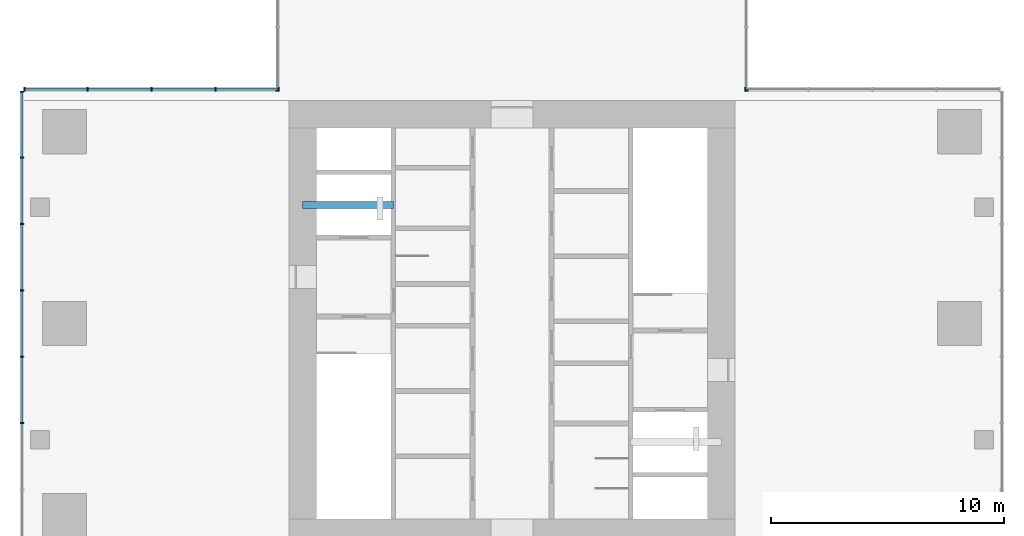
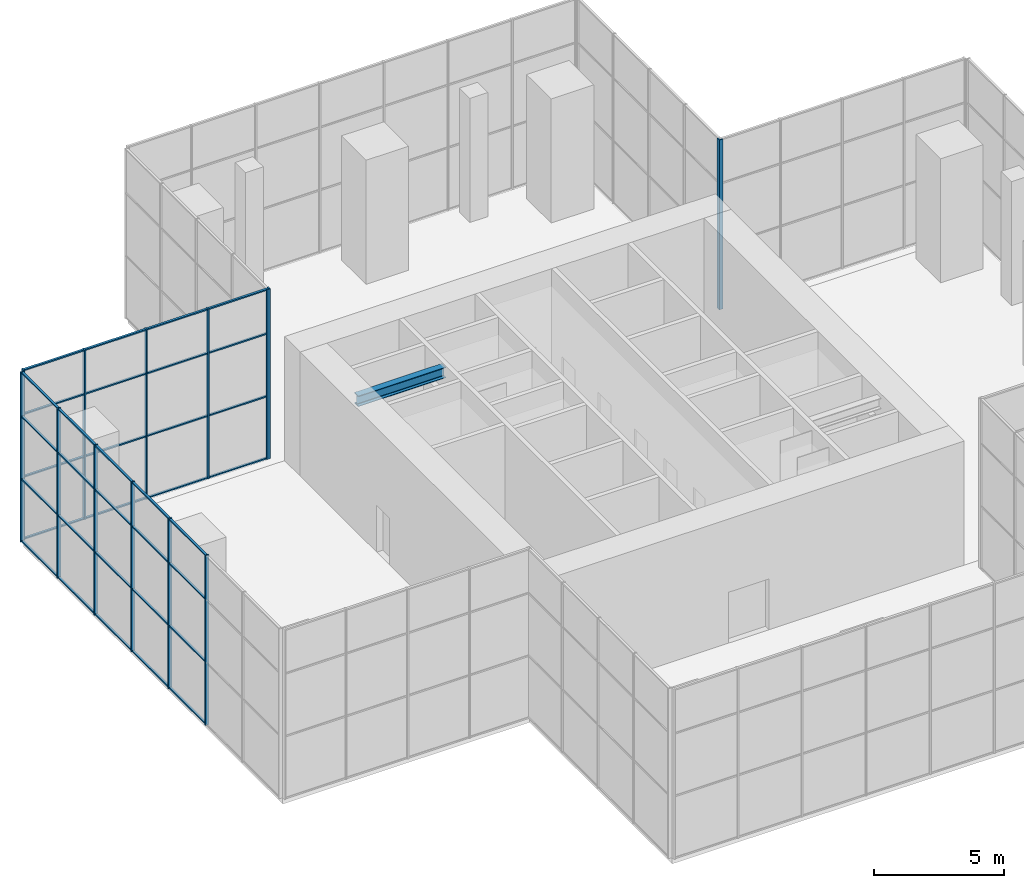
# One storey, part 4 of 12: 50 members, 1 beam, 5 elements without a shape of their own.
"""IFC4 building model written with IfcOpenShell, lengths in metres."""

import ifcopenshell
import ifcopenshell.guid

model = None  # the IFC model being written
_history = None  # IfcOwnerHistory: only IFC2X3 demands one
_inside = {}  # id of a spatial element -> (the spatial element, [elements in it])
_under = {}  # id of a project, library or spatial element -> (it, [spatial elements below it])
_declared = {}  # id of a project -> (the project, [libraries it declares])
_typed = {}  # id of a type object -> (the type object, [elements of that type])
_made_of = {}  # id of a material, layer set ... -> (it, [elements and type objects made of it])


def new_model(schema):
    """Start an empty IFC model of exactly this schema.

    Asked for "IFC4X3", IfcOpenShell would pick the latest addendum, in which some entities
    have other attributes; the version numbers below select the first issue.
    IFC2X3 requires an IfcOwnerHistory on every rooted entity: one is made here for all.
    """
    global model, _history
    if schema == "IFC4X3":
        model = ifcopenshell.file(schema_version=(4, 3, 0, 0))
    else:
        model = ifcopenshell.file(schema=schema)
    _inside.clear()
    _under.clear()
    _declared.clear()
    _typed.clear()
    _made_of.clear()
    _history = None
    if model.schema == "IFC2X3":
        org = make("IfcOrganization", Name="unknown")
        user = make(
            "IfcPersonAndOrganization",
            ThePerson=make("IfcPerson", FamilyName="unknown"),
            TheOrganization=org,
        )
        app = make(
            "IfcApplication",
            ApplicationDeveloper=org,
            Version="unknown",
            ApplicationFullName="unknown",
            ApplicationIdentifier="unknown",
        )
        _history = make(
            "IfcOwnerHistory",
            OwningUser=user,
            OwningApplication=app,
            ChangeAction="ADDED",
            CreationDate=0,
        )
    return model


def make(cls, **values):
    """One entity of the class cls with the attributes given. An attribute that is None is left unset."""
    return model.create_entity(
        cls, **{name: value for name, value in values.items() if value is not None}
    )


def rooted(cls, **values):
    """An entity with a GlobalId (a new one), such as an element, a storey or a relation."""
    return make(cls, GlobalId=ifcopenshell.guid.new(), OwnerHistory=_history, **values)


def si_unit(unit_type, name, prefix=None):
    """IfcSIUnit, for example si_unit("LENGTHUNIT", "METRE", prefix="MILLI")."""
    return make("IfcSIUnit", UnitType=unit_type, Prefix=prefix, Name=name)


def assignment(units):
    """IfcUnitAssignment: the units of a project."""
    return None if units is None else make("IfcUnitAssignment", Units=units)


def point(xyz):
    """IfcCartesianPoint."""
    return None if xyz is None else make("IfcCartesianPoint", Coordinates=xyz)


def direction(xyz):
    """IfcDirection."""
    return None if xyz is None else make("IfcDirection", DirectionRatios=xyz)


def frame(location, z_axis=None, x_axis=None):
    """IfcAxis2Placement3D, a coordinate frame: its origin and axes. An axis left out is left unset."""
    return make(
        "IfcAxis2Placement3D",
        Location=point(location),
        Axis=direction(z_axis),
        RefDirection=direction(x_axis),
    )


def frame_2d(location, x_axis=None):
    """IfcAxis2Placement2D, a coordinate frame in the plane: its origin and x axis."""
    return make(
        "IfcAxis2Placement2D", Location=point(location), RefDirection=direction(x_axis)
    )


def origin():
    """The frame at (0, 0, 0) with its axes left unset."""
    return frame((0.0, 0.0, 0.0))


def origin_2d():
    """The frame at (0, 0) in the plane with its x axis left unset."""
    return frame_2d((0.0, 0.0))


def place(relative_to, where):
    """IfcLocalPlacement: puts the frame where relative to a parent placement (None: the world)."""
    return make(
        "IfcLocalPlacement", PlacementRelTo=relative_to, RelativePlacement=where
    )


def context(
    kind, dimensions, precision=None, world=None, true_north=None, identifier=None
):
    """IfcGeometricRepresentationContext, for example the 3D "Model" context."""
    return make(
        "IfcGeometricRepresentationContext",
        ContextIdentifier=identifier,
        ContextType=kind,
        CoordinateSpaceDimension=dimensions,
        Precision=precision,
        WorldCoordinateSystem=world,
        TrueNorth=true_north,
    )


def subcontext(parent, identifier, kind, view, scale=None):
    """IfcGeometricRepresentationSubContext, for example "Body" below "Model"."""
    return make(
        "IfcGeometricRepresentationSubContext",
        ContextIdentifier=identifier,
        ContextType=kind,
        ParentContext=parent,
        TargetScale=scale,
        TargetView=view,
    )


def project(units=None, contexts=None):
    """IfcProject with its units and contexts."""
    return rooted(
        "IfcProject",
        Name="project",
        RepresentationContexts=contexts,
        UnitsInContext=assignment(units),
    )


def spatial(cls, under=None, at=None, **own):
    """A site, building, storey or space (cls), placed at a placement, below another one or the project."""
    s = rooted(cls, ObjectPlacement=at, **own)
    if under is not None:
        _under.setdefault(under.id(), (under, []))[1].append(s)
    return s


def profile(cls, at=None, kind="AREA", **sizes):
    """A parametric profile (cls). Its sizes go by their IFC names, for example OverallWidth=200.0."""
    return make(cls, ProfileType=kind, Position=at, **sizes)


def rectangle(**sizes):
    """IfcRectangleProfileDef."""
    return profile("IfcRectangleProfileDef", **sizes)


def i_section(**sizes):
    """IfcIShapeProfileDef."""
    return profile("IfcIShapeProfileDef", **sizes)


def extrude(swept, where, along, depth):
    """IfcExtrudedAreaSolid: the profile swept, set in the frame where, extruded along a direction by depth."""
    return make(
        "IfcExtrudedAreaSolid",
        SweptArea=swept,
        Position=where,
        ExtrudedDirection=direction(along),
        Depth=depth,
    )


def shape(context_of_items, identifier, shape_type, items):
    """IfcShapeRepresentation: the items that make up one representation, for example the "Body"."""
    return make(
        "IfcShapeRepresentation",
        ContextOfItems=context_of_items,
        RepresentationIdentifier=identifier,
        RepresentationType=shape_type,
        Items=items,
    )


def material(Name=None, Category=None):
    """IfcMaterial."""
    return make("IfcMaterial", Name=Name, Category=Category)


def material_profile(
    of_material, cross_section, Name=None, Category=None, Priority=None
):
    """IfcMaterialProfile: a cross section and its material."""
    return make(
        "IfcMaterialProfile",
        Name=Name,
        Material=of_material,
        Profile=cross_section,
        Priority=Priority,
        Category=Category,
    )


def profile_set(profiles, Name=None, composite=None):
    """IfcMaterialProfileSet."""
    return make(
        "IfcMaterialProfileSet",
        Name=Name,
        MaterialProfiles=profiles,
        CompositeProfile=composite,
    )


def made_of(thing, what):
    """Note that an element or type object is made of a material, layer set ...; save() writes the relation."""
    if what is not None:
        _made_of.setdefault(what.id(), (what, []))[1].append(thing)
    return thing


def type_object(cls, material=None, **own):
    """A type object (cls), such as IfcWallType, which elements share."""
    return made_of(rooted(cls, **own), material)


def element(
    cls,
    number,
    at=None,
    inside=None,
    cuts=None,
    type_object=None,
    material=None,
    context=None,
    identifier="Body",
    shape_type=None,
    held_by="IfcProductDefinitionShape",
    body=None,
    shapes=None,
    **own,
):
    """One element of the class cls, such as IfcWall. Its Tag is "e" and its number.

    at: its placement. inside: the storey or other place that contains it. cuts: it is an
    opening in that element (IfcRelVoidsElement). A single representation is given by context,
    identifier, shape_type and body (its items); several are given by shapes. held_by: the class
    of the entity that holds the representations. save() writes the other relations.
    """
    e = rooted(cls, Tag="e%d" % number, ObjectPlacement=at, **own)
    if body is not None:
        shapes = [shape(context, identifier, shape_type, body)]
    if shapes is not None:
        e.Representation = make(held_by, Representations=shapes)
    if inside is not None:
        _inside.setdefault(inside.id(), (inside, []))[1].append(e)
    if cuts is not None:
        rooted(
            "IfcRelVoidsElement", RelatingBuildingElement=cuts, RelatedOpeningElement=e
        )
    if type_object is not None:
        _typed.setdefault(type_object.id(), (type_object, []))[1].append(e)
    return made_of(e, material)


def aggregate(whole, parts):
    """IfcRelAggregates: a whole, such as a stair, and the parts it consists of."""
    return rooted("IfcRelAggregates", RelatingObject=whole, RelatedObjects=parts)


def save(model, path):
    """Write the relations noted so far, then the file.

    IfcRelAggregates (storeys below a building ...), IfcRelContainedInSpatialStructure (elements
    in a storey), IfcRelDefinesByType, IfcRelAssociatesMaterial and IfcRelDeclares: one each for
    every whole, place, type object, material and project.
    """
    for whole, parts in _under.values():
        aggregate(whole, parts)
    for where, things in _inside.values():
        rooted(
            "IfcRelContainedInSpatialStructure",
            RelatedElements=things,
            RelatingStructure=where,
        )
    for kind, things in _typed.values():
        rooted("IfcRelDefinesByType", RelatedObjects=things, RelatingType=kind)
    for what, things in _made_of.values():
        rooted("IfcRelAssociatesMaterial", RelatedObjects=things, RelatingMaterial=what)
    for by, libraries in _declared.values():
        rooted("IfcRelDeclares", RelatingContext=by, RelatedDefinitions=libraries)
    model.write(path)


model = new_model("IFC4")

# Units and contexts
model_context = context("Model", 3, precision=1e-05, world=origin(), true_north=direction((0.0, 1.0)))
body_context = subcontext(model_context, "Body", "Model", "MODEL_VIEW")
ifc_project = project(units=[si_unit("LENGTHUNIT", "METRE"), si_unit("AREAUNIT", "SQUARE_METRE"), si_unit("VOLUMEUNIT", "CUBIC_METRE"), si_unit("PLANEANGLEUNIT", "RADIAN"), si_unit("MASSUNIT", "GRAM", prefix="KILO")], contexts=[model_context])

# Site, building, storey
site_placement = place(None, origin())
site = spatial("IfcSite", under=ifc_project, at=site_placement, CompositionType="ELEMENT")
building_placement = place(site_placement, origin())
building = spatial("IfcBuilding", under=site, at=building_placement, Name="Svetlomir Tower", CompositionType="ELEMENT")
storey_placement = place(building_placement, frame((0.0, 0.0, 283.89990234375)))
storey = spatial("IfcBuildingStorey", under=building, at=storey_placement, Name="L67", CompositionType="ELEMENT", Elevation=283.89990234375)

# Curtain wall, member
ifc_material_1 = material(Name="Bronze anodised aluminium curtain wall", Category="aluminium")
curtain_wall_type = type_object("IfcCurtainWallType", Name="CURTAIN WALL CW6 LANTERN", PredefinedType="NOTDEFINED", material=ifc_material_1)
curtain_wall_1_placement = place(storey_placement, origin())
curtain_wall_1 = element("IfcCurtainWall", 1, at=curtain_wall_1_placement, inside=storey, type_object=curtain_wall_type, Name="Curtain wall CW6 L67", PredefinedType="NOTDEFINED")
ifc_material_2 = material(Name="Bronze anodised aluminium", Category="aluminium")
ifc_material_profile_1 = material_profile(ifc_material_2, rectangle(XDim=0.06005859375, YDim=0.159912109375, at=origin_2d()), Name="AL 60x160")
ifc_profile_set_1 = profile_set([ifc_material_profile_1], Name="Bronze anodised aluminium 6063-T6")
member_type_1 = type_object("IfcMemberType", Name="CW6 MULLION 60x160", PredefinedType="MULLION", material=ifc_profile_set_1)
member_1_placement = place(storey_placement, frame((31.030029296875, 31.080078125, 0.0), z_axis=(0.0, 0.0, 1.0), x_axis=(-1.0, 0.0, 0.0)))
member_1 = element("IfcMember", 2, at=member_1_placement, type_object=member_type_1, Name="CW6 mullion 5", PredefinedType="MULLION", context=body_context, shape_type="SweptSolid", body=[
    extrude(rectangle(XDim=0.06005859375, YDim=0.159912109375, at=origin_2d()), origin(), (0.0, 0.0, 1.0), 8.0),
])
aggregate(curtain_wall_1, [member_1])

curtain_wall_2_placement = place(storey_placement, origin())
curtain_wall_2 = element("IfcCurtainWall", 3, at=curtain_wall_2_placement, inside=storey, type_object=curtain_wall_type, Name="Curtain wall CW6 L67", PredefinedType="NOTDEFINED")
member_2_placement = place(storey_placement, frame((31.080078125, 31.030029296875, 0.0), z_axis=(0.0, 0.0, 1.0), x_axis=(0.0, 1.0, 0.0)))
member_2 = element("IfcMember", 4, at=member_2_placement, type_object=member_type_1, Name="CW6 mullion 1", PredefinedType="MULLION", context=body_context, shape_type="SweptSolid", body=[
    extrude(rectangle(XDim=0.06005859375, YDim=0.159912109375, at=origin_2d()), origin(), (0.0, 0.0, 1.0), 8.0),
])
aggregate(curtain_wall_2, [member_2])

curtain_wall_3_placement = place(storey_placement, origin())
curtain_wall_3 = element("IfcCurtainWall", 5, at=curtain_wall_3_placement, inside=storey, type_object=curtain_wall_type, Name="Curtain wall CW6 L67", PredefinedType="NOTDEFINED")
member_3_placement = place(storey_placement, frame((10.919921875, 31.030029296875, 0.0), z_axis=(0.0, 0.0, 1.0), x_axis=(0.0, -1.0, 0.0)))
member_3 = element("IfcMember", 6, at=member_3_placement, type_object=member_type_1, Name="CW6 mullion 5", PredefinedType="MULLION", context=body_context, shape_type="SweptSolid", body=[
    extrude(rectangle(XDim=0.06005859375, YDim=0.159912109375, at=origin_2d()), origin(), (0.0, 0.0, 1.0), 8.0),
])
aggregate(curtain_wall_3, [member_3])

# Curtain wall, members
curtain_wall_4_placement = place(storey_placement, origin())
curtain_wall_4 = element("IfcCurtainWall", 7, at=curtain_wall_4_placement, inside=storey, type_object=curtain_wall_type, Name="Curtain wall CW6 L67", PredefinedType="NOTDEFINED")
member_4_placement = place(storey_placement, frame((10.969970703125, 31.080078125, 0.0), z_axis=(0.0, 0.0, 1.0), x_axis=(-1.0, 0.0, 0.0)))
member_4 = element("IfcMember", 8, at=member_4_placement, type_object=member_type_1, Name="CW6 mullion 1", PredefinedType="MULLION", context=body_context, shape_type="SweptSolid", body=[
    extrude(rectangle(XDim=0.06005859375, YDim=0.159912109375, at=origin_2d()), origin(), (0.0, 0.0, 1.0), 8.0),
])
member_5_placement = place(storey_placement, frame((8.25, 31.080078125, 0.0), z_axis=(0.0, 0.0, 1.0), x_axis=(-1.0, 0.0, 0.0)))
member_5 = element("IfcMember", 9, at=member_5_placement, type_object=member_type_1, Name="CW6 mullion 2", PredefinedType="MULLION", context=body_context, shape_type="SweptSolid", body=[
    extrude(rectangle(XDim=0.06005859375, YDim=0.159912109375, at=origin_2d()), origin(), (0.0, 0.0, 1.0), 8.0),
])
member_6_placement = place(storey_placement, frame((5.5, 31.080078125, 0.0), z_axis=(0.0, 0.0, 1.0), x_axis=(-1.0, 0.0, 0.0)))
member_6 = element("IfcMember", 10, at=member_6_placement, type_object=member_type_1, Name="CW6 mullion 3", PredefinedType="MULLION", context=body_context, shape_type="SweptSolid", body=[
    extrude(rectangle(XDim=0.06005859375, YDim=0.159912109375, at=origin_2d()), origin(), (0.0, 0.0, 1.0), 8.0),
])
member_7_placement = place(storey_placement, frame((2.75, 31.080078125, 0.0), z_axis=(0.0, 0.0, 1.0), x_axis=(-1.0, 0.0, 0.0)))
member_7 = element("IfcMember", 11, at=member_7_placement, type_object=member_type_1, Name="CW6 mullion 4", PredefinedType="MULLION", context=body_context, shape_type="SweptSolid", body=[
    extrude(rectangle(XDim=0.06005859375, YDim=0.159912109375, at=origin_2d()), origin(), (0.0, 0.0, 1.0), 8.0),
])
member_8_placement = place(storey_placement, frame((0.030029296875, 31.080078125, 0.0), z_axis=(0.0, 0.0, 1.0), x_axis=(-1.0, 0.0, 0.0)))
member_8 = element("IfcMember", 12, at=member_8_placement, type_object=member_type_1, Name="CW6 mullion 5", PredefinedType="MULLION", context=body_context, shape_type="SweptSolid", body=[
    extrude(rectangle(XDim=0.06005859375, YDim=0.159912109375, at=origin_2d()), origin(), (0.0, 0.0, 1.0), 8.0),
])

curtain_wall_5_placement = place(storey_placement, origin())
curtain_wall_5 = element("IfcCurtainWall", 13, at=curtain_wall_5_placement, inside=storey, type_object=curtain_wall_type, Name="Curtain wall CW6 L67", PredefinedType="NOTDEFINED")
member_9_placement = place(storey_placement, frame((-0.080078125, 30.969970703125, 0.0), z_axis=(0.0, 0.0, 1.0), x_axis=(0.0, -1.0, 0.0)))
member_9 = element("IfcMember", 14, at=member_9_placement, type_object=member_type_1, Name="CW6 mullion 1", PredefinedType="MULLION", context=body_context, shape_type="SweptSolid", body=[
    extrude(rectangle(XDim=0.06005859375, YDim=0.159912109375, at=origin_2d()), origin(), (0.0, 0.0, 1.0), 8.0),
])
member_10_placement = place(storey_placement, frame((-0.080078125, 28.142822265625, 0.0), z_axis=(0.0, 0.0, 1.0), x_axis=(0.0, -1.0, 0.0)))
member_10 = element("IfcMember", 15, at=member_10_placement, type_object=member_type_1, Name="CW6 mullion 2", PredefinedType="MULLION", context=body_context, shape_type="SweptSolid", body=[
    extrude(rectangle(XDim=0.06005859375, YDim=0.159912109375, at=origin_2d()), origin(), (0.0, 0.0, 1.0), 8.0),
])
member_11_placement = place(storey_placement, frame((-0.080078125, 25.28564453125, 0.0), z_axis=(0.0, 0.0, 1.0), x_axis=(0.0, -1.0, 0.0)))
member_11 = element("IfcMember", 16, at=member_11_placement, type_object=member_type_1, Name="CW6 mullion 3", PredefinedType="MULLION", context=body_context, shape_type="SweptSolid", body=[
    extrude(rectangle(XDim=0.06005859375, YDim=0.159912109375, at=origin_2d()), origin(), (0.0, 0.0, 1.0), 8.0),
])
member_12_placement = place(storey_placement, frame((-0.080078125, 22.428466796875, 0.0), z_axis=(0.0, 0.0, 1.0), x_axis=(0.0, -1.0, 0.0)))
member_12 = element("IfcMember", 17, at=member_12_placement, type_object=member_type_1, Name="CW6 mullion 4", PredefinedType="MULLION", context=body_context, shape_type="SweptSolid", body=[
    extrude(rectangle(XDim=0.06005859375, YDim=0.159912109375, at=origin_2d()), origin(), (0.0, 0.0, 1.0), 8.0),
])
member_13_placement = place(storey_placement, frame((-0.080078125, 19.571533203125, 0.0), z_axis=(0.0, 0.0, 1.0), x_axis=(0.0, -1.0, 0.0)))
member_13 = element("IfcMember", 18, at=member_13_placement, type_object=member_type_1, Name="CW6 mullion 5", PredefinedType="MULLION", context=body_context, shape_type="SweptSolid", body=[
    extrude(rectangle(XDim=0.06005859375, YDim=0.159912109375, at=origin_2d()), origin(), (0.0, 0.0, 1.0), 8.0),
])
member_14_placement = place(storey_placement, frame((-0.080078125, 16.71435546875, 0.0), z_axis=(0.0, 0.0, 1.0), x_axis=(0.0, -1.0, 0.0)))
member_14 = element("IfcMember", 19, at=member_14_placement, type_object=member_type_1, Name="CW6 mullion 6", PredefinedType="MULLION", context=body_context, shape_type="SweptSolid", body=[
    extrude(rectangle(XDim=0.06005859375, YDim=0.159912109375, at=origin_2d()), origin(), (0.0, 0.0, 1.0), 8.0),
])

# Member
ifc_material_3 = material(Name="Bronze anodised aluminium", Category="aluminium")
ifc_material_profile_2 = material_profile(ifc_material_3, rectangle(XDim=0.10009765625, YDim=0.06005859375, at=origin_2d()), Name="AL 100x60")
ifc_profile_set_2 = profile_set([ifc_material_profile_2], Name="Bronze anodised aluminium 6063-T6")
member_type_2 = type_object("IfcMemberType", Name="CW6 TRANSOM 60x100", PredefinedType="USERDEFINED", material=ifc_profile_set_2)
member_15_placement = place(storey_placement, frame((10.93994140625, 31.080078125, 0.030029296875), z_axis=(-1.0, 0.0, 0.0), x_axis=(0.0, -1.0, 0.0)))
member_15 = element("IfcMember", 20, at=member_15_placement, type_object=member_type_2, Name="CW6 transom 1.1", ObjectType="TRANSOM", PredefinedType="USERDEFINED", context=body_context, shape_type="SweptSolid", body=[
    extrude(rectangle(XDim=0.10009765625, YDim=0.06005859375, at=origin_2d()), origin(), (0.0, 0.0, 1.0), 2.659912109375),
])

member_16_placement = place(storey_placement, frame((10.93994140625, 31.080078125, 2.9501953125), z_axis=(-1.0, 0.0, 0.0), x_axis=(0.0, -1.0, 0.0)))
member_16 = element("IfcMember", 21, at=member_16_placement, type_object=member_type_2, Name="CW6 transom 1.2", ObjectType="TRANSOM", PredefinedType="USERDEFINED", context=body_context, shape_type="SweptSolid", body=[
    extrude(rectangle(XDim=0.10009765625, YDim=0.06005859375, at=origin_2d()), origin(), (0.0, 0.0, 1.0), 2.659912109375),
])

member_17_placement = place(storey_placement, frame((10.93994140625, 31.080078125, 5.900146484375), z_axis=(-1.0, 0.0, 0.0), x_axis=(0.0, -1.0, 0.0)))
member_17 = element("IfcMember", 22, at=member_17_placement, type_object=member_type_2, Name="CW6 transom 1.3", ObjectType="TRANSOM", PredefinedType="USERDEFINED", context=body_context, shape_type="SweptSolid", body=[
    extrude(rectangle(XDim=0.10009765625, YDim=0.06005859375, at=origin_2d()), origin(), (0.0, 0.0, 1.0), 2.659912109375),
])

member_18_placement = place(storey_placement, frame((10.93994140625, 31.080078125, 7.97021484375), z_axis=(-1.0, 0.0, 0.0), x_axis=(0.0, -1.0, 0.0)))
member_18 = element("IfcMember", 23, at=member_18_placement, type_object=member_type_2, Name="CW6 transom 1.4", ObjectType="TRANSOM", PredefinedType="USERDEFINED", context=body_context, shape_type="SweptSolid", body=[
    extrude(rectangle(XDim=0.10009765625, YDim=0.06005859375, at=origin_2d()), origin(), (0.0, 0.0, 1.0), 2.659912109375),
])

member_19_placement = place(storey_placement, frame((8.219970703125, 31.080078125, 0.030029296875), z_axis=(-1.0, 0.0, 0.0), x_axis=(0.0, -1.0, 0.0)))
member_19 = element("IfcMember", 24, at=member_19_placement, type_object=member_type_2, Name="CW6 transom 2.1", ObjectType="TRANSOM", PredefinedType="USERDEFINED", context=body_context, shape_type="SweptSolid", body=[
    extrude(rectangle(XDim=0.10009765625, YDim=0.06005859375, at=origin_2d()), origin(), (0.0, 0.0, 1.0), 2.68994140625),
])

member_20_placement = place(storey_placement, frame((8.219970703125, 31.080078125, 2.9501953125), z_axis=(-1.0, 0.0, 0.0), x_axis=(0.0, -1.0, 0.0)))
member_20 = element("IfcMember", 25, at=member_20_placement, type_object=member_type_2, Name="CW6 transom 2.2", ObjectType="TRANSOM", PredefinedType="USERDEFINED", context=body_context, shape_type="SweptSolid", body=[
    extrude(rectangle(XDim=0.10009765625, YDim=0.06005859375, at=origin_2d()), origin(), (0.0, 0.0, 1.0), 2.68994140625),
])

member_21_placement = place(storey_placement, frame((8.219970703125, 31.080078125, 5.900146484375), z_axis=(-1.0, 0.0, 0.0), x_axis=(0.0, -1.0, 0.0)))
member_21 = element("IfcMember", 26, at=member_21_placement, type_object=member_type_2, Name="CW6 transom 2.3", ObjectType="TRANSOM", PredefinedType="USERDEFINED", context=body_context, shape_type="SweptSolid", body=[
    extrude(rectangle(XDim=0.10009765625, YDim=0.06005859375, at=origin_2d()), origin(), (0.0, 0.0, 1.0), 2.68994140625),
])

member_22_placement = place(storey_placement, frame((8.219970703125, 31.080078125, 7.97021484375), z_axis=(-1.0, 0.0, 0.0), x_axis=(0.0, -1.0, 0.0)))
member_22 = element("IfcMember", 27, at=member_22_placement, type_object=member_type_2, Name="CW6 transom 2.4", ObjectType="TRANSOM", PredefinedType="USERDEFINED", context=body_context, shape_type="SweptSolid", body=[
    extrude(rectangle(XDim=0.10009765625, YDim=0.06005859375, at=origin_2d()), origin(), (0.0, 0.0, 1.0), 2.68994140625),
])

member_23_placement = place(storey_placement, frame((5.469970703125, 31.080078125, 0.030029296875), z_axis=(-1.0, 0.0, 0.0), x_axis=(0.0, -1.0, 0.0)))
member_23 = element("IfcMember", 28, at=member_23_placement, type_object=member_type_2, Name="CW6 transom 3.1", ObjectType="TRANSOM", PredefinedType="USERDEFINED", context=body_context, shape_type="SweptSolid", body=[
    extrude(rectangle(XDim=0.10009765625, YDim=0.06005859375, at=origin_2d()), origin(), (0.0, 0.0, 1.0), 2.68994140625),
])

member_24_placement = place(storey_placement, frame((5.469970703125, 31.080078125, 2.9501953125), z_axis=(-1.0, 0.0, 0.0), x_axis=(0.0, -1.0, 0.0)))
member_24 = element("IfcMember", 29, at=member_24_placement, type_object=member_type_2, Name="CW6 transom 3.2", ObjectType="TRANSOM", PredefinedType="USERDEFINED", context=body_context, shape_type="SweptSolid", body=[
    extrude(rectangle(XDim=0.10009765625, YDim=0.06005859375, at=origin_2d()), origin(), (0.0, 0.0, 1.0), 2.68994140625),
])

member_25_placement = place(storey_placement, frame((5.469970703125, 31.080078125, 5.900146484375), z_axis=(-1.0, 0.0, 0.0), x_axis=(0.0, -1.0, 0.0)))
member_25 = element("IfcMember", 30, at=member_25_placement, type_object=member_type_2, Name="CW6 transom 3.3", ObjectType="TRANSOM", PredefinedType="USERDEFINED", context=body_context, shape_type="SweptSolid", body=[
    extrude(rectangle(XDim=0.10009765625, YDim=0.06005859375, at=origin_2d()), origin(), (0.0, 0.0, 1.0), 2.68994140625),
])

member_26_placement = place(storey_placement, frame((5.469970703125, 31.080078125, 7.97021484375), z_axis=(-1.0, 0.0, 0.0), x_axis=(0.0, -1.0, 0.0)))
member_26 = element("IfcMember", 31, at=member_26_placement, type_object=member_type_2, Name="CW6 transom 3.4", ObjectType="TRANSOM", PredefinedType="USERDEFINED", context=body_context, shape_type="SweptSolid", body=[
    extrude(rectangle(XDim=0.10009765625, YDim=0.06005859375, at=origin_2d()), origin(), (0.0, 0.0, 1.0), 2.68994140625),
])

member_27_placement = place(storey_placement, frame((2.719970703125, 31.080078125, 0.030029296875), z_axis=(-1.0, 0.0, 0.0), x_axis=(0.0, -1.0, 0.0)))
member_27 = element("IfcMember", 32, at=member_27_placement, type_object=member_type_2, Name="CW6 transom 4.1", ObjectType="TRANSOM", PredefinedType="USERDEFINED", context=body_context, shape_type="SweptSolid", body=[
    extrude(rectangle(XDim=0.10009765625, YDim=0.06005859375, at=origin_2d()), origin(), (0.0, 0.0, 1.0), 2.659912109375),
])

member_28_placement = place(storey_placement, frame((2.719970703125, 31.080078125, 2.9501953125), z_axis=(-1.0, 0.0, 0.0), x_axis=(0.0, -1.0, 0.0)))
member_28 = element("IfcMember", 33, at=member_28_placement, type_object=member_type_2, Name="CW6 transom 4.2", ObjectType="TRANSOM", PredefinedType="USERDEFINED", context=body_context, shape_type="SweptSolid", body=[
    extrude(rectangle(XDim=0.10009765625, YDim=0.06005859375, at=origin_2d()), origin(), (0.0, 0.0, 1.0), 2.659912109375),
])

member_29_placement = place(storey_placement, frame((2.719970703125, 31.080078125, 5.900146484375), z_axis=(-1.0, 0.0, 0.0), x_axis=(0.0, -1.0, 0.0)))
member_29 = element("IfcMember", 34, at=member_29_placement, type_object=member_type_2, Name="CW6 transom 4.3", ObjectType="TRANSOM", PredefinedType="USERDEFINED", context=body_context, shape_type="SweptSolid", body=[
    extrude(rectangle(XDim=0.10009765625, YDim=0.06005859375, at=origin_2d()), origin(), (0.0, 0.0, 1.0), 2.659912109375),
])

member_30_placement = place(storey_placement, frame((2.719970703125, 31.080078125, 7.97021484375), z_axis=(-1.0, 0.0, 0.0), x_axis=(0.0, -1.0, 0.0)))
member_30 = element("IfcMember", 35, at=member_30_placement, type_object=member_type_2, Name="CW6 transom 4.4", ObjectType="TRANSOM", PredefinedType="USERDEFINED", context=body_context, shape_type="SweptSolid", body=[
    extrude(rectangle(XDim=0.10009765625, YDim=0.06005859375, at=origin_2d()), origin(), (0.0, 0.0, 1.0), 2.659912109375),
])

aggregate(curtain_wall_4, [member_4, member_5, member_6, member_7, member_8, member_15, member_16, member_17, member_18, member_19, member_20, member_21, member_22, member_23, member_24, member_25, member_26, member_27, member_28, member_29, member_30])

member_31_placement = place(storey_placement, frame((-0.080078125, 30.93994140625, 0.030029296875), z_axis=(0.0, -1.0, 0.0), x_axis=(1.0, 0.0, 0.0)))
member_31 = element("IfcMember", 36, at=member_31_placement, type_object=member_type_2, Name="CW6 transom 1.1", ObjectType="TRANSOM", PredefinedType="USERDEFINED", context=body_context, shape_type="SweptSolid", body=[
    extrude(rectangle(XDim=0.10009765625, YDim=0.06005859375, at=origin_2d()), origin(), (0.0, 0.0, 1.0), 2.76708984375),
])

member_32_placement = place(storey_placement, frame((-0.080078125, 30.93994140625, 2.9501953125), z_axis=(0.0, -1.0, 0.0), x_axis=(1.0, 0.0, 0.0)))
member_32 = element("IfcMember", 37, at=member_32_placement, type_object=member_type_2, Name="CW6 transom 1.2", ObjectType="TRANSOM", PredefinedType="USERDEFINED", context=body_context, shape_type="SweptSolid", body=[
    extrude(rectangle(XDim=0.10009765625, YDim=0.06005859375, at=origin_2d()), origin(), (0.0, 0.0, 1.0), 2.76708984375),
])

member_33_placement = place(storey_placement, frame((-0.080078125, 30.93994140625, 5.900146484375), z_axis=(0.0, -1.0, 0.0), x_axis=(1.0, 0.0, 0.0)))
member_33 = element("IfcMember", 38, at=member_33_placement, type_object=member_type_2, Name="CW6 transom 1.3", ObjectType="TRANSOM", PredefinedType="USERDEFINED", context=body_context, shape_type="SweptSolid", body=[
    extrude(rectangle(XDim=0.10009765625, YDim=0.06005859375, at=origin_2d()), origin(), (0.0, 0.0, 1.0), 2.76708984375),
])

member_34_placement = place(storey_placement, frame((-0.080078125, 30.93994140625, 7.97021484375), z_axis=(0.0, -1.0, 0.0), x_axis=(1.0, 0.0, 0.0)))
member_34 = element("IfcMember", 39, at=member_34_placement, type_object=member_type_2, Name="CW6 transom 1.4", ObjectType="TRANSOM", PredefinedType="USERDEFINED", context=body_context, shape_type="SweptSolid", body=[
    extrude(rectangle(XDim=0.10009765625, YDim=0.06005859375, at=origin_2d()), origin(), (0.0, 0.0, 1.0), 2.76708984375),
])

member_35_placement = place(storey_placement, frame((-0.080078125, 28.11279296875, 0.030029296875), z_axis=(0.0, -1.0, 0.0), x_axis=(1.0, 0.0, 0.0)))
member_35 = element("IfcMember", 40, at=member_35_placement, type_object=member_type_2, Name="CW6 transom 2.1", ObjectType="TRANSOM", PredefinedType="USERDEFINED", context=body_context, shape_type="SweptSolid", body=[
    extrude(rectangle(XDim=0.10009765625, YDim=0.06005859375, at=origin_2d()), origin(), (0.0, 0.0, 1.0), 2.797119140625),
])

member_36_placement = place(storey_placement, frame((-0.080078125, 28.11279296875, 2.9501953125), z_axis=(0.0, -1.0, 0.0), x_axis=(1.0, 0.0, 0.0)))
member_36 = element("IfcMember", 41, at=member_36_placement, type_object=member_type_2, Name="CW6 transom 2.2", ObjectType="TRANSOM", PredefinedType="USERDEFINED", context=body_context, shape_type="SweptSolid", body=[
    extrude(rectangle(XDim=0.10009765625, YDim=0.06005859375, at=origin_2d()), origin(), (0.0, 0.0, 1.0), 2.797119140625),
])

member_37_placement = place(storey_placement, frame((-0.080078125, 28.11279296875, 5.900146484375), z_axis=(0.0, -1.0, 0.0), x_axis=(1.0, 0.0, 0.0)))
member_37 = element("IfcMember", 42, at=member_37_placement, type_object=member_type_2, Name="CW6 transom 2.3", ObjectType="TRANSOM", PredefinedType="USERDEFINED", context=body_context, shape_type="SweptSolid", body=[
    extrude(rectangle(XDim=0.10009765625, YDim=0.06005859375, at=origin_2d()), origin(), (0.0, 0.0, 1.0), 2.797119140625),
])

member_38_placement = place(storey_placement, frame((-0.080078125, 28.11279296875, 7.97021484375), z_axis=(0.0, -1.0, 0.0), x_axis=(1.0, 0.0, 0.0)))
member_38 = element("IfcMember", 43, at=member_38_placement, type_object=member_type_2, Name="CW6 transom 2.4", ObjectType="TRANSOM", PredefinedType="USERDEFINED", context=body_context, shape_type="SweptSolid", body=[
    extrude(rectangle(XDim=0.10009765625, YDim=0.06005859375, at=origin_2d()), origin(), (0.0, 0.0, 1.0), 2.797119140625),
])

member_39_placement = place(storey_placement, frame((-0.080078125, 25.255615234375, 0.030029296875), z_axis=(0.0, -1.0, 0.0), x_axis=(1.0, 0.0, 0.0)))
member_39 = element("IfcMember", 44, at=member_39_placement, type_object=member_type_2, Name="CW6 transom 3.1", ObjectType="TRANSOM", PredefinedType="USERDEFINED", context=body_context, shape_type="SweptSolid", body=[
    extrude(rectangle(XDim=0.10009765625, YDim=0.06005859375, at=origin_2d()), origin(), (0.0, 0.0, 1.0), 2.797119140625),
])

member_40_placement = place(storey_placement, frame((-0.080078125, 25.255615234375, 2.9501953125), z_axis=(0.0, -1.0, 0.0), x_axis=(1.0, 0.0, 0.0)))
member_40 = element("IfcMember", 45, at=member_40_placement, type_object=member_type_2, Name="CW6 transom 3.2", ObjectType="TRANSOM", PredefinedType="USERDEFINED", context=body_context, shape_type="SweptSolid", body=[
    extrude(rectangle(XDim=0.10009765625, YDim=0.06005859375, at=origin_2d()), origin(), (0.0, 0.0, 1.0), 2.797119140625),
])

member_41_placement = place(storey_placement, frame((-0.080078125, 25.255615234375, 5.900146484375), z_axis=(0.0, -1.0, 0.0), x_axis=(1.0, 0.0, 0.0)))
member_41 = element("IfcMember", 46, at=member_41_placement, type_object=member_type_2, Name="CW6 transom 3.3", ObjectType="TRANSOM", PredefinedType="USERDEFINED", context=body_context, shape_type="SweptSolid", body=[
    extrude(rectangle(XDim=0.10009765625, YDim=0.06005859375, at=origin_2d()), origin(), (0.0, 0.0, 1.0), 2.797119140625),
])

member_42_placement = place(storey_placement, frame((-0.080078125, 25.255615234375, 7.97021484375), z_axis=(0.0, -1.0, 0.0), x_axis=(1.0, 0.0, 0.0)))
member_42 = element("IfcMember", 47, at=member_42_placement, type_object=member_type_2, Name="CW6 transom 3.4", ObjectType="TRANSOM", PredefinedType="USERDEFINED", context=body_context, shape_type="SweptSolid", body=[
    extrude(rectangle(XDim=0.10009765625, YDim=0.06005859375, at=origin_2d()), origin(), (0.0, 0.0, 1.0), 2.797119140625),
])

member_43_placement = place(storey_placement, frame((-0.080078125, 22.398681640625, 0.030029296875), z_axis=(0.0, -1.0, 0.0), x_axis=(1.0, 0.0, 0.0)))
member_43 = element("IfcMember", 48, at=member_43_placement, type_object=member_type_2, Name="CW6 transom 4.1", ObjectType="TRANSOM", PredefinedType="USERDEFINED", context=body_context, shape_type="SweptSolid", body=[
    extrude(rectangle(XDim=0.10009765625, YDim=0.06005859375, at=origin_2d()), origin(), (0.0, 0.0, 1.0), 2.79736328125),
])

member_44_placement = place(storey_placement, frame((-0.080078125, 22.398681640625, 2.9501953125), z_axis=(0.0, -1.0, 0.0), x_axis=(1.0, 0.0, 0.0)))
member_44 = element("IfcMember", 49, at=member_44_placement, type_object=member_type_2, Name="CW6 transom 4.2", ObjectType="TRANSOM", PredefinedType="USERDEFINED", context=body_context, shape_type="SweptSolid", body=[
    extrude(rectangle(XDim=0.10009765625, YDim=0.06005859375, at=origin_2d()), origin(), (0.0, 0.0, 1.0), 2.79736328125),
])

member_45_placement = place(storey_placement, frame((-0.080078125, 22.398681640625, 5.900146484375), z_axis=(0.0, -1.0, 0.0), x_axis=(1.0, 0.0, 0.0)))
member_45 = element("IfcMember", 50, at=member_45_placement, type_object=member_type_2, Name="CW6 transom 4.3", ObjectType="TRANSOM", PredefinedType="USERDEFINED", context=body_context, shape_type="SweptSolid", body=[
    extrude(rectangle(XDim=0.10009765625, YDim=0.06005859375, at=origin_2d()), origin(), (0.0, 0.0, 1.0), 2.79736328125),
])

member_46_placement = place(storey_placement, frame((-0.080078125, 22.398681640625, 7.97021484375), z_axis=(0.0, -1.0, 0.0), x_axis=(1.0, 0.0, 0.0)))
member_46 = element("IfcMember", 51, at=member_46_placement, type_object=member_type_2, Name="CW6 transom 4.4", ObjectType="TRANSOM", PredefinedType="USERDEFINED", context=body_context, shape_type="SweptSolid", body=[
    extrude(rectangle(XDim=0.10009765625, YDim=0.06005859375, at=origin_2d()), origin(), (0.0, 0.0, 1.0), 2.79736328125),
])

member_47_placement = place(storey_placement, frame((-0.080078125, 19.54150390625, 0.030029296875), z_axis=(0.0, -1.0, 0.0), x_axis=(1.0, 0.0, 0.0)))
member_47 = element("IfcMember", 52, at=member_47_placement, type_object=member_type_2, Name="CW6 transom 5.1", ObjectType="TRANSOM", PredefinedType="USERDEFINED", context=body_context, shape_type="SweptSolid", body=[
    extrude(rectangle(XDim=0.10009765625, YDim=0.06005859375, at=origin_2d()), origin(), (0.0, 0.0, 1.0), 2.797119140625),
])

member_48_placement = place(storey_placement, frame((-0.080078125, 19.54150390625, 2.9501953125), z_axis=(0.0, -1.0, 0.0), x_axis=(1.0, 0.0, 0.0)))
member_48 = element("IfcMember", 53, at=member_48_placement, type_object=member_type_2, Name="CW6 transom 5.2", ObjectType="TRANSOM", PredefinedType="USERDEFINED", context=body_context, shape_type="SweptSolid", body=[
    extrude(rectangle(XDim=0.10009765625, YDim=0.06005859375, at=origin_2d()), origin(), (0.0, 0.0, 1.0), 2.797119140625),
])

member_49_placement = place(storey_placement, frame((-0.080078125, 19.54150390625, 5.900146484375), z_axis=(0.0, -1.0, 0.0), x_axis=(1.0, 0.0, 0.0)))
member_49 = element("IfcMember", 54, at=member_49_placement, type_object=member_type_2, Name="CW6 transom 5.3", ObjectType="TRANSOM", PredefinedType="USERDEFINED", context=body_context, shape_type="SweptSolid", body=[
    extrude(rectangle(XDim=0.10009765625, YDim=0.06005859375, at=origin_2d()), origin(), (0.0, 0.0, 1.0), 2.797119140625),
])

member_50_placement = place(storey_placement, frame((-0.080078125, 19.54150390625, 7.97021484375), z_axis=(0.0, -1.0, 0.0), x_axis=(1.0, 0.0, 0.0)))
member_50 = element("IfcMember", 55, at=member_50_placement, type_object=member_type_2, Name="CW6 transom 5.4", ObjectType="TRANSOM", PredefinedType="USERDEFINED", context=body_context, shape_type="SweptSolid", body=[
    extrude(rectangle(XDim=0.10009765625, YDim=0.06005859375, at=origin_2d()), origin(), (0.0, 0.0, 1.0), 2.797119140625),
])

aggregate(curtain_wall_5, [member_9, member_10, member_11, member_12, member_13, member_14, member_31, member_32, member_33, member_34, member_35, member_36, member_37, member_38, member_39, member_40, member_41, member_42, member_43, member_44, member_45, member_46, member_47, member_48, member_49, member_50])

# Beam
ifc_material_4 = material(Name="Steel S355", Category="steel")
ifc_material_profile_3 = material_profile(ifc_material_4, i_section(OverallWidth=0.300048828125, OverallDepth=0.5, WebThickness=0.014404296875, FlangeThickness=0.028076171875, FilletRadius=0.027099609375, at=origin_2d()), Name="HEB 500")
ifc_profile_set_3 = profile_set([ifc_material_profile_3], Name="Steel S355")
beam_type = type_object("IfcBeamType", Name="LIFTING BEAM HEB 500", PredefinedType="BEAM", material=ifc_profile_set_3)
beam_placement = place(storey_placement, frame((12.0, 26.10009765625, 5.400146484375), z_axis=(1.0, 0.0, 0.0), x_axis=(0.0, 1.0, 0.0)))
element("IfcBeam", 56, at=beam_placement, inside=storey, type_object=beam_type, Name="Lifting beam over shaft FL1", PredefinedType="BEAM", context=body_context, shape_type="SweptSolid", body=[
    extrude(i_section(OverallWidth=0.300048828125, OverallDepth=0.5, WebThickness=0.014404296875, FlangeThickness=0.028076171875, FilletRadius=0.027099609375, at=origin_2d()), origin(), (0.0, 0.0, 1.0), 3.89990234375),
])

save(model, "model.ifc")
